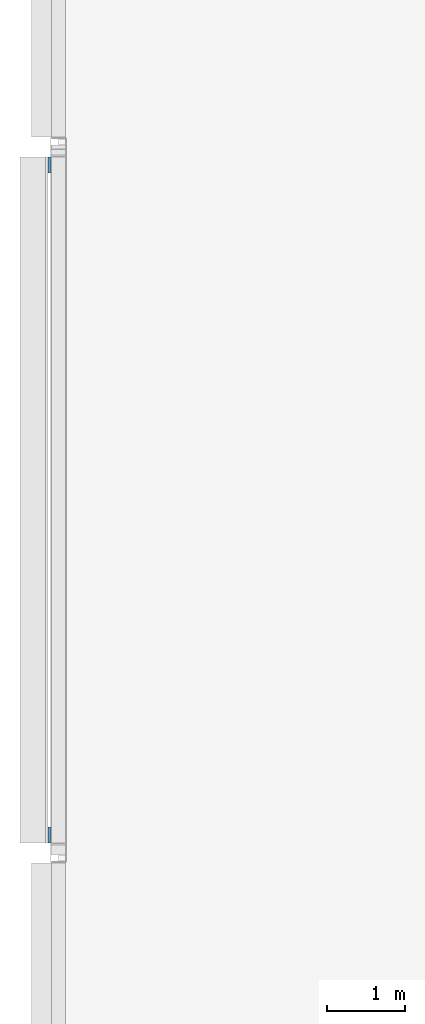
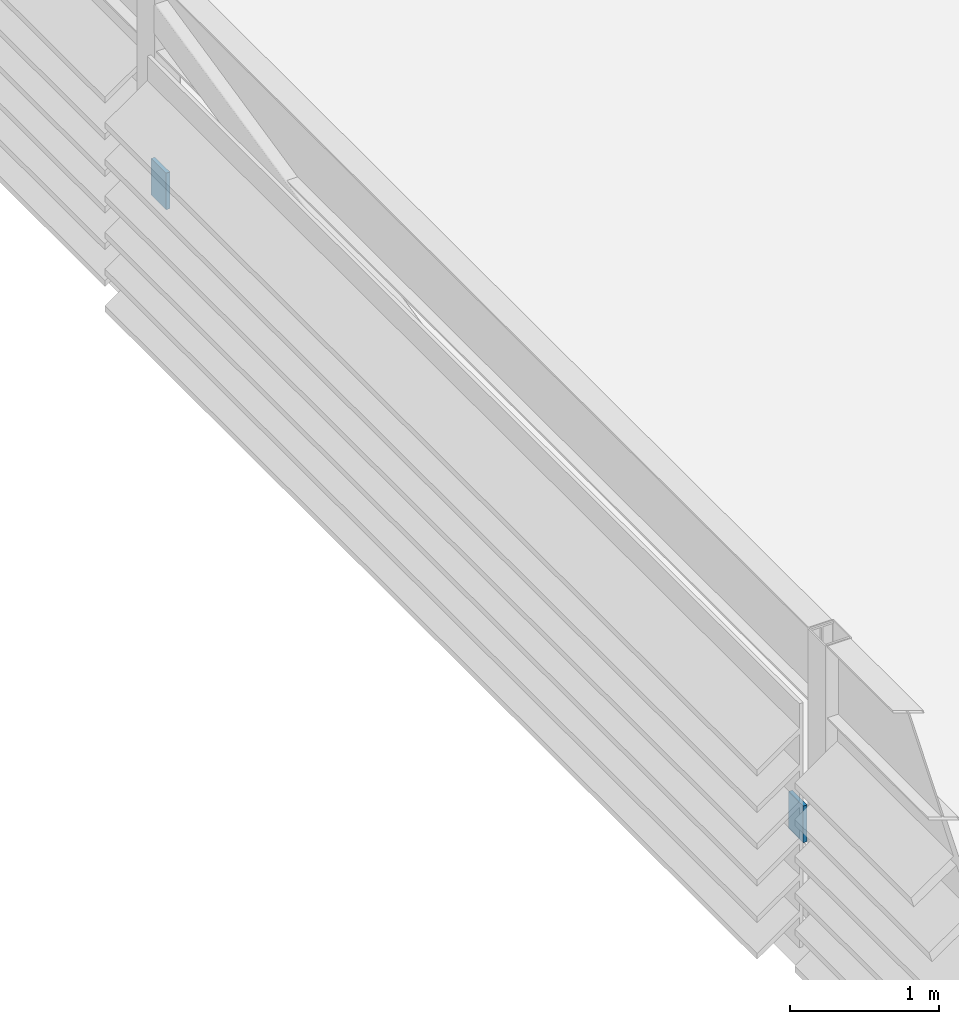
# One storey, part 19 of 27: 2 discrete accessories.
"""IFC4 building model written with IfcOpenShell, lengths in metres."""

from ifc_helpers import new_model, si_unit, direction, frame, origin, origin_2d, place, context, subcontext, project, spatial, rectangle, extrude, material, type_object, element, save


model = new_model("IFC4")

# Units and contexts
model_context = context("Model", 3, precision=1e-05, world=origin(), true_north=direction((0.0, 1.0)))
body_context = subcontext(model_context, "Body", "Model", "MODEL_VIEW")
ifc_project = project(units=[si_unit("LENGTHUNIT", "METRE"), si_unit("AREAUNIT", "SQUARE_METRE"), si_unit("VOLUMEUNIT", "CUBIC_METRE"), si_unit("PLANEANGLEUNIT", "RADIAN"), si_unit("MASSUNIT", "GRAM", prefix="KILO")], contexts=[model_context])

# Site, building, storey
site_placement = place(None, origin())
site = spatial("IfcSite", under=ifc_project, at=site_placement, CompositionType="ELEMENT")
building_placement = place(site_placement, origin())
building = spatial("IfcBuilding", under=site, at=building_placement, Name="Madar Terraces", CompositionType="ELEMENT")
storey_placement = place(building_placement, frame((0.0, 0.0, 314.300048828125)))
storey = spatial("IfcBuildingStorey", under=building, at=storey_placement, Name="L81", CompositionType="ELEMENT", Elevation=314.300048828125)

# Discrete accessories
ifc_material = material(Name="Steel, galvanised", Category="steel")
discrete_accessory_type = type_object("IfcDiscreteAccessoryType", Name="Louvre bank bracket", PredefinedType="BRACKET", material=ifc_material)
for number, where, z_axis, x_axis, name in (
    (1, (1.08349609375, 32.77294921875, 0.84912109375), (0.0, 0.0, 1.0), (0.0, -1.0, 0.0), "Louvre bank bracket"),
    (2, (1.08349609375, 24.22705078125, 0.84912109375), (0.0, 0.0, 1.0), (0.0, -1.0, 0.0), "Louvre bank bracket"),
):
    element("IfcDiscreteAccessory", number, at=place(storey_placement, frame(where, z_axis=z_axis, x_axis=x_axis)), inside=storey, type_object=discrete_accessory_type, Name=name, PredefinedType="BRACKET", context=body_context, shape_type="SweptSolid", body=[
        extrude(rectangle(XDim=0.199951171875, YDim=0.030029296875, at=origin_2d()), origin(), (0.0, 0.0, 1.0), 0.300048828125),
    ])

save(model, "model.ifc")
